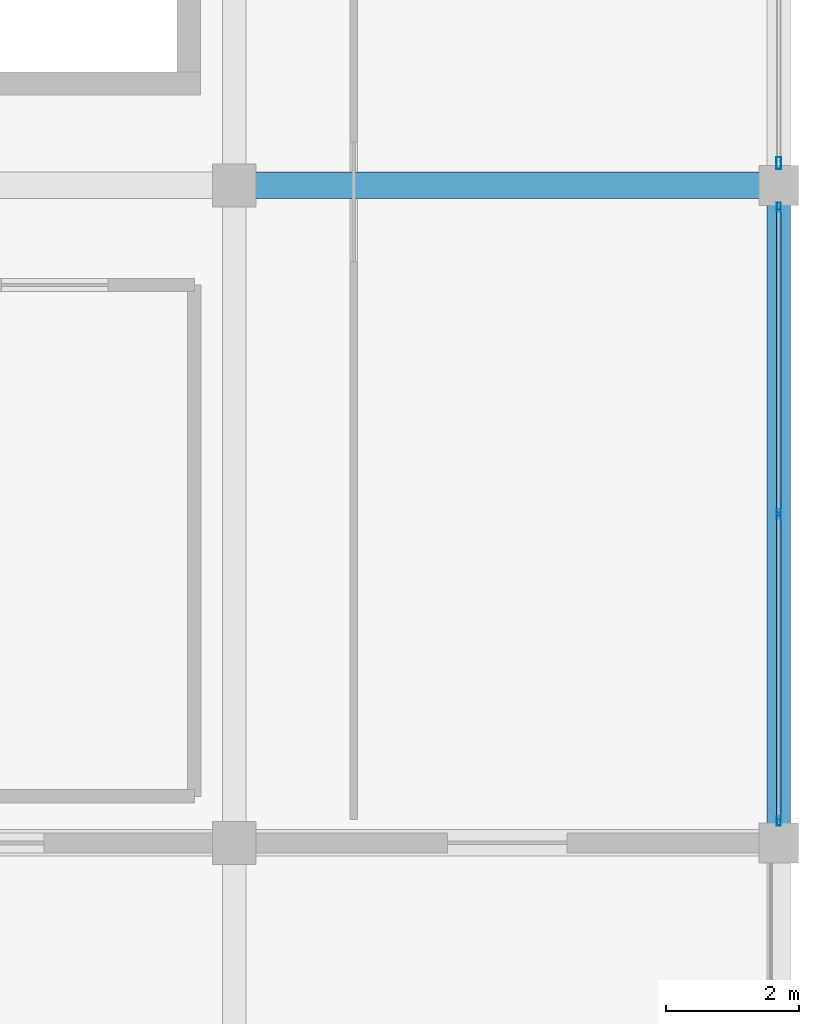
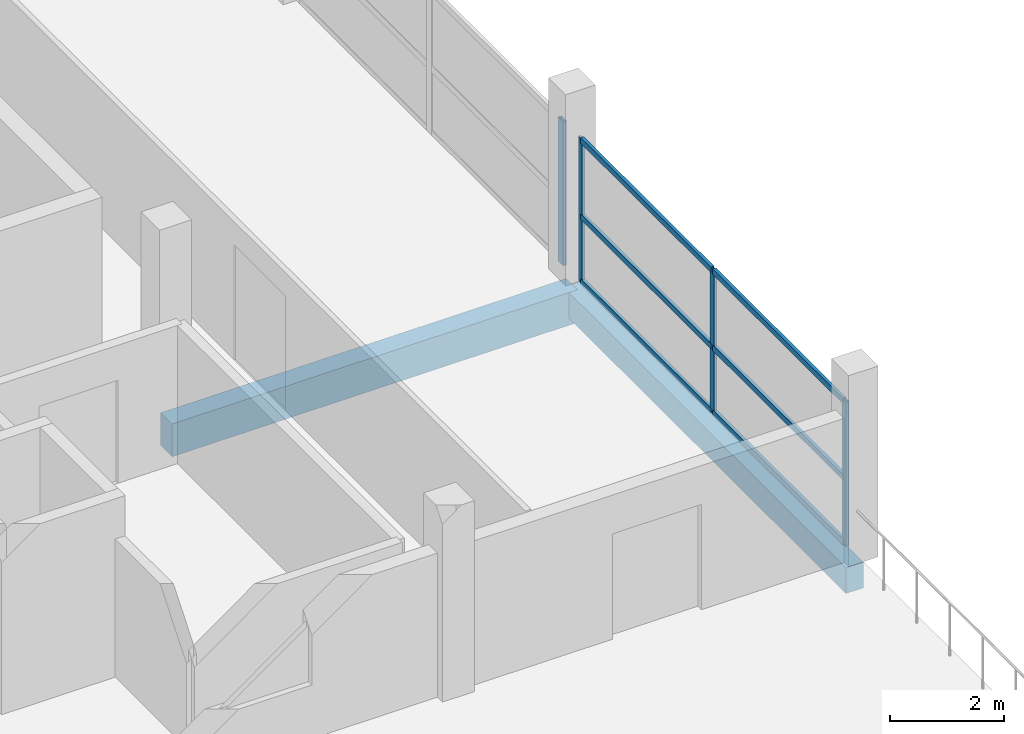
# One storey, part 17 of 53: 10 members, 2 beams, 2 elements without a shape of their own.
"""IFC4 building model written with IfcOpenShell, lengths in metres."""

from ifc_helpers import new_model, si_unit, direction, frame, origin, origin_2d, place, context, subcontext, project, spatial, rectangle, hollow_rectangle, extrude, material, layer, layer_set, material_profile, profile_set, type_object, element, aggregate, save


model = new_model("IFC4")

# Units and contexts
model_context = context("Model", 3, precision=1e-05, world=origin(), true_north=direction((0.0, 1.0)))
body_context = subcontext(model_context, "Body", "Model", "MODEL_VIEW")
ifc_project = project(units=[si_unit("LENGTHUNIT", "METRE"), si_unit("AREAUNIT", "SQUARE_METRE"), si_unit("VOLUMEUNIT", "CUBIC_METRE"), si_unit("PLANEANGLEUNIT", "RADIAN"), si_unit("MASSUNIT", "GRAM", prefix="KILO")], contexts=[model_context])

# Site, building, storey
site_placement = place(None, origin())
site = spatial("IfcSite", under=ifc_project, at=site_placement, CompositionType="ELEMENT")
building_placement = place(site_placement, origin())
building = spatial("IfcBuilding", under=site, at=building_placement, Name="Sillaruma Civic Art Gallery", CompositionType="ELEMENT")
storey_placement = place(building_placement, frame((0.0, 0.0, 70.3798828125)))
storey = spatial("IfcBuildingStorey", under=building, at=storey_placement, Name="L14", CompositionType="ELEMENT", Elevation=70.3798828125)

# Beams
ifc_material_1 = material(Name="Concrete H35 (35 MPa)", Category="concrete")
ifc_material_profile_1 = material_profile(ifc_material_1, rectangle(XDim=0.39990234375, YDim=0.699951171875, at=origin_2d()), Name="RCB400x700")
ifc_profile_set_1 = profile_set([ifc_material_profile_1], Name="Concrete H35 (35 MPa)")
beam_type_1 = type_object("IfcBeamType", Name="BM-BEAM-RCB400x700", PredefinedType="BEAM", material=ifc_profile_set_1)
beam_1_placement = place(storey_placement, frame((106.199951171875, 49.5, -0.599853515625), z_axis=(1.0, 0.0, 0.0), x_axis=(0.0, 1.0, 0.0)))
element("IfcBeam", 1, at=beam_1_placement, inside=storey, type_object=beam_type_1, Name="Beam BM-04 (L13:6:M-N)", PredefinedType="BEAM", context=body_context, shape_type="SweptSolid", body=[
    extrude(rectangle(XDim=0.39990234375, YDim=0.699951171875, at=origin_2d()), origin(), (0.0, 0.0, 1.0), 8.199951171875),
])
ifc_material_profile_2 = material_profile(ifc_material_1, rectangle(XDim=0.35009765625, YDim=0.550048828125, at=origin_2d()), Name="RCB350x550")
ifc_profile_set_2 = profile_set([ifc_material_profile_2], Name="Concrete H35 (35 MPa)")
beam_type_2 = type_object("IfcBeamType", Name="BM-SPANDREL-RCB350x550", PredefinedType="SPANDREL", material=ifc_profile_set_2)
beam_2_placement = place(storey_placement, frame((114.39990234375, 39.60009765625, -0.52490234375), z_axis=(0.0, 1.0, 0.0), x_axis=(-1.0, 0.0, 0.0)))
element("IfcBeam", 2, at=beam_2_placement, inside=storey, type_object=beam_type_2, Name="Beam BS-04 (L13:N:5-6)", PredefinedType="SPANDREL", context=body_context, shape_type="SweptSolid", body=[
    extrude(rectangle(XDim=0.35009765625, YDim=0.550048828125, at=origin_2d()), origin(), (0.0, 0.0, 1.0), 9.89990234375),
])

# Curtain wall, members
ifc_material_2 = material(Name="Thermally Broken Extruded Aluminium 6063-T6", Category="aluminium")
ifc_layer_1 = layer(ifc_material_2, 0.139892578125, Name="Thermally Broken Extruded Aluminium 6063-T6")
ifc_layer_set_1 = layer_set([ifc_layer_1], Name="Thermally Broken Extruded Aluminium 6063-T6")
curtain_wall_type_1 = type_object("IfcCurtainWallType", Name="CW-UNI-99", PredefinedType="NOTDEFINED", material=ifc_layer_set_1)
curtain_wall_1_placement = place(storey_placement, origin())
curtain_wall_1 = element("IfcCurtainWall", 3, at=curtain_wall_1_placement, inside=storey, type_object=curtain_wall_type_1, Name="Unitised Curtain Wall CW-99 (CW-L14-EHH-E1)", PredefinedType="NOTDEFINED")
ifc_material_profile_3 = material_profile(ifc_material_2, hollow_rectangle(XDim=0.06005859375, YDim=0.139892578125, WallThickness=0.00341796875, at=origin_2d()), Name="CWM60x140")
ifc_profile_set_3 = profile_set([ifc_material_profile_3], Name="Thermally Broken Extruded Aluminium 6063-T6")
member_type_1 = type_object("IfcMemberType", Name="MEM-MUL-CWM60x140", PredefinedType="MULLION", material=ifc_profile_set_3)
member_1_placement = place(storey_placement, frame((114.39990234375, 39.929931640625, 0.0), z_axis=(0.0, 0.0, 1.0), x_axis=(-1.0, 0.0, 0.0)))
member_1 = element("IfcMember", 4, at=member_1_placement, type_object=member_type_1, Name="CW-99 mullion 1", PredefinedType="MULLION", context=body_context, shape_type="SweptSolid", body=[
    extrude(hollow_rectangle(XDim=0.06005859375, YDim=0.139892578125, WallThickness=0.00341796875, at=origin_2d()), origin(), (0.0, 0.0, 1.0), 3.080078125),
])
member_2_placement = place(storey_placement, frame((114.39990234375, 44.550048828125, 0.0), z_axis=(0.0, 0.0, 1.0), x_axis=(-1.0, 0.0, 0.0)))
member_2 = element("IfcMember", 5, at=member_2_placement, type_object=member_type_1, Name="CW-99 mullion 2", PredefinedType="MULLION", context=body_context, shape_type="SweptSolid", body=[
    extrude(hollow_rectangle(XDim=0.06005859375, YDim=0.139892578125, WallThickness=0.00341796875, at=origin_2d()), origin(), (0.0, 0.0, 1.0), 3.080078125),
])
member_3_placement = place(storey_placement, frame((114.39990234375, 49.169921875, 0.0), z_axis=(0.0, 0.0, 1.0), x_axis=(-1.0, 0.0, 0.0)))
member_3 = element("IfcMember", 6, at=member_3_placement, type_object=member_type_1, Name="CW-99 mullion 3", PredefinedType="MULLION", context=body_context, shape_type="SweptSolid", body=[
    extrude(hollow_rectangle(XDim=0.06005859375, YDim=0.139892578125, WallThickness=0.00341796875, at=origin_2d()), origin(), (0.0, 0.0, 1.0), 3.080078125),
])

# Curtain wall, member
ifc_layer_2 = layer(ifc_material_2, 0.179931640625, Name="Thermally Broken Extruded Aluminium 6063-T6")
ifc_layer_set_2 = layer_set([ifc_layer_2], Name="Thermally Broken Extruded Aluminium 6063-T6")
curtain_wall_type_2 = type_object("IfcCurtainWallType", Name="CW-UNI-101", PredefinedType="NOTDEFINED", material=ifc_layer_set_2)
curtain_wall_2_placement = place(storey_placement, origin())
curtain_wall_2 = element("IfcCurtainWall", 7, at=curtain_wall_2_placement, inside=storey, type_object=curtain_wall_type_2, Name="Unitised Curtain Wall CW-101 (CW-L14-EHH-E2)", PredefinedType="NOTDEFINED")
ifc_material_profile_4 = material_profile(ifc_material_2, hollow_rectangle(XDim=0.070068359375, YDim=0.179931640625, WallThickness=0.00390625, at=origin_2d()), Name="CWM70x180")
ifc_profile_set_4 = profile_set([ifc_material_profile_4], Name="Thermally Broken Extruded Aluminium 6063-T6")
member_type_2 = type_object("IfcMemberType", Name="MEM-MUL-CWM70x180", PredefinedType="MULLION", material=ifc_profile_set_4)
member_4_placement = place(storey_placement, frame((114.39990234375, 49.8349609375, 0.0), z_axis=(0.0, 0.0, 1.0), x_axis=(-1.0, 0.0, 0.0)))
member_4 = element("IfcMember", 8, at=member_4_placement, type_object=member_type_2, Name="CW-101 mullion 1", PredefinedType="MULLION", context=body_context, shape_type="SweptSolid", body=[
    extrude(hollow_rectangle(XDim=0.070068359375, YDim=0.179931640625, WallThickness=0.00390625, at=origin_2d()), origin(), (0.0, 0.0, 1.0), 3.080078125),
])
aggregate(curtain_wall_2, [member_4])

# Member
ifc_material_profile_5 = material_profile(ifc_material_2, hollow_rectangle(XDim=0.06494140625, YDim=0.1201171875, WallThickness=0.00341796875, at=origin_2d()), Name="CWT65x120")
ifc_profile_set_5 = profile_set([ifc_material_profile_5], Name="Thermally Broken Extruded Aluminium 6063-T6")
member_type_3 = type_object("IfcMemberType", Name="MEM-TRN-CWT65x120", PredefinedType="USERDEFINED", material=ifc_profile_set_5)
member_5_placement = place(storey_placement, frame((114.39990234375, 39.9599609375, 0.03271484375), z_axis=(0.0, 1.0, 0.0), x_axis=(-1.0, 0.0, 0.0)))
member_5 = element("IfcMember", 9, at=member_5_placement, type_object=member_type_3, Name="CW-99 transom 1.1", ObjectType="TRANSOM", PredefinedType="USERDEFINED", context=body_context, shape_type="SweptSolid", body=[
    extrude(hollow_rectangle(XDim=0.06494140625, YDim=0.1201171875, WallThickness=0.00341796875, at=origin_2d()), origin(), (0.0, 0.0, 1.0), 4.56005859375),
])

member_6_placement = place(storey_placement, frame((114.39990234375, 39.9599609375, 1.4169921875), z_axis=(0.0, 1.0, 0.0), x_axis=(-1.0, 0.0, 0.0)))
member_6 = element("IfcMember", 10, at=member_6_placement, type_object=member_type_3, Name="CW-99 transom 1.2", ObjectType="TRANSOM", PredefinedType="USERDEFINED", context=body_context, shape_type="SweptSolid", body=[
    extrude(hollow_rectangle(XDim=0.06494140625, YDim=0.1201171875, WallThickness=0.00341796875, at=origin_2d()), origin(), (0.0, 0.0, 1.0), 4.56005859375),
])

member_7_placement = place(storey_placement, frame((114.39990234375, 39.9599609375, 3.047607421875), z_axis=(0.0, 1.0, 0.0), x_axis=(-1.0, 0.0, 0.0)))
member_7 = element("IfcMember", 11, at=member_7_placement, type_object=member_type_3, Name="CW-99 transom 1.3", ObjectType="TRANSOM", PredefinedType="USERDEFINED", context=body_context, shape_type="SweptSolid", body=[
    extrude(hollow_rectangle(XDim=0.06494140625, YDim=0.1201171875, WallThickness=0.00341796875, at=origin_2d()), origin(), (0.0, 0.0, 1.0), 4.56005859375),
])

member_8_placement = place(storey_placement, frame((114.39990234375, 44.580078125, 0.03271484375), z_axis=(0.0, 1.0, 0.0), x_axis=(-1.0, 0.0, 0.0)))
member_8 = element("IfcMember", 12, at=member_8_placement, type_object=member_type_3, Name="CW-99 transom 2.1", ObjectType="TRANSOM", PredefinedType="USERDEFINED", context=body_context, shape_type="SweptSolid", body=[
    extrude(hollow_rectangle(XDim=0.06494140625, YDim=0.1201171875, WallThickness=0.00341796875, at=origin_2d()), origin(), (0.0, 0.0, 1.0), 4.559814453125),
])

member_9_placement = place(storey_placement, frame((114.39990234375, 44.580078125, 1.4169921875), z_axis=(0.0, 1.0, 0.0), x_axis=(-1.0, 0.0, 0.0)))
member_9 = element("IfcMember", 13, at=member_9_placement, type_object=member_type_3, Name="CW-99 transom 2.2", ObjectType="TRANSOM", PredefinedType="USERDEFINED", context=body_context, shape_type="SweptSolid", body=[
    extrude(hollow_rectangle(XDim=0.06494140625, YDim=0.1201171875, WallThickness=0.00341796875, at=origin_2d()), origin(), (0.0, 0.0, 1.0), 4.559814453125),
])

member_10_placement = place(storey_placement, frame((114.39990234375, 44.580078125, 3.047607421875), z_axis=(0.0, 1.0, 0.0), x_axis=(-1.0, 0.0, 0.0)))
member_10 = element("IfcMember", 14, at=member_10_placement, type_object=member_type_3, Name="CW-99 transom 2.3", ObjectType="TRANSOM", PredefinedType="USERDEFINED", context=body_context, shape_type="SweptSolid", body=[
    extrude(hollow_rectangle(XDim=0.06494140625, YDim=0.1201171875, WallThickness=0.00341796875, at=origin_2d()), origin(), (0.0, 0.0, 1.0), 4.559814453125),
])

aggregate(curtain_wall_1, [member_1, member_2, member_3, member_5, member_6, member_7, member_8, member_9, member_10])

save(model, "model.ifc")
